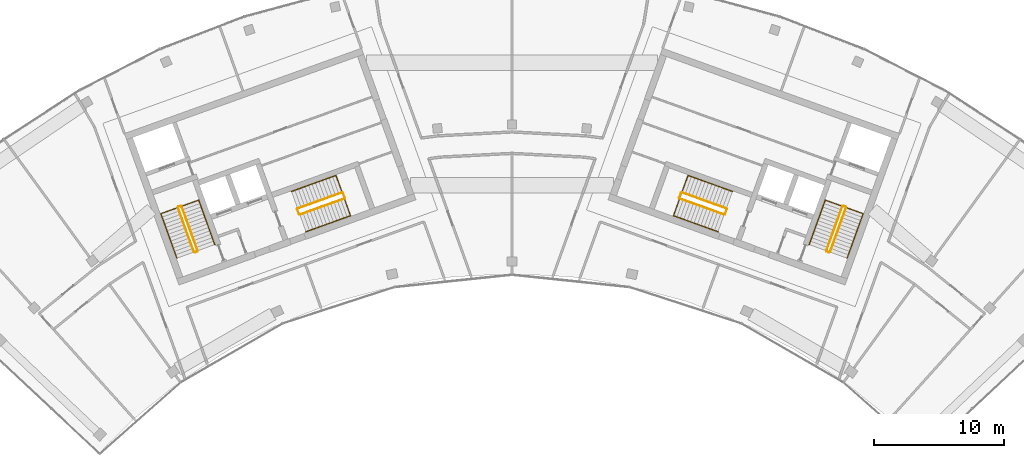
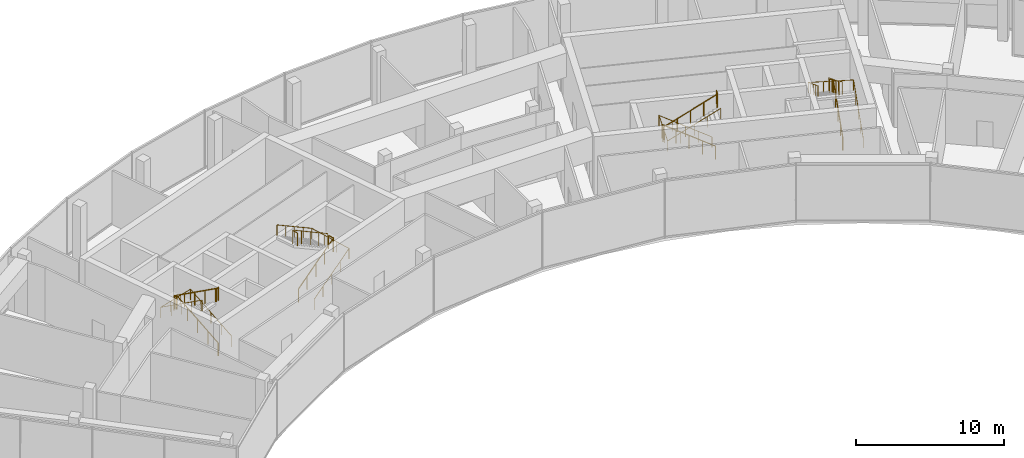
# One storey, part 17 of 17: 12 railings.
"""IFC4 building model written with IfcOpenShell, lengths in metres."""

import ifcopenshell
import ifcopenshell.guid

model = None  # the IFC model being written
_history = None  # IfcOwnerHistory: only IFC2X3 demands one
_inside = {}  # id of a spatial element -> (the spatial element, [elements in it])
_under = {}  # id of a project, library or spatial element -> (it, [spatial elements below it])
_declared = {}  # id of a project -> (the project, [libraries it declares])
_typed = {}  # id of a type object -> (the type object, [elements of that type])
_made_of = {}  # id of a material, layer set ... -> (it, [elements and type objects made of it])


def new_model(schema):
    """Start an empty IFC model of exactly this schema.

    Asked for "IFC4X3", IfcOpenShell would pick the latest addendum, in which some entities
    have other attributes; the version numbers below select the first issue.
    IFC2X3 requires an IfcOwnerHistory on every rooted entity: one is made here for all.
    """
    global model, _history
    if schema == "IFC4X3":
        model = ifcopenshell.file(schema_version=(4, 3, 0, 0))
    else:
        model = ifcopenshell.file(schema=schema)
    _inside.clear()
    _under.clear()
    _declared.clear()
    _typed.clear()
    _made_of.clear()
    _history = None
    if model.schema == "IFC2X3":
        org = make("IfcOrganization", Name="unknown")
        user = make(
            "IfcPersonAndOrganization",
            ThePerson=make("IfcPerson", FamilyName="unknown"),
            TheOrganization=org,
        )
        app = make(
            "IfcApplication",
            ApplicationDeveloper=org,
            Version="unknown",
            ApplicationFullName="unknown",
            ApplicationIdentifier="unknown",
        )
        _history = make(
            "IfcOwnerHistory",
            OwningUser=user,
            OwningApplication=app,
            ChangeAction="ADDED",
            CreationDate=0,
        )
    return model


def make(cls, **values):
    """One entity of the class cls with the attributes given. An attribute that is None is left unset."""
    return model.create_entity(
        cls, **{name: value for name, value in values.items() if value is not None}
    )


def rooted(cls, **values):
    """An entity with a GlobalId (a new one), such as an element, a storey or a relation."""
    return make(cls, GlobalId=ifcopenshell.guid.new(), OwnerHistory=_history, **values)


def si_unit(unit_type, name, prefix=None):
    """IfcSIUnit, for example si_unit("LENGTHUNIT", "METRE", prefix="MILLI")."""
    return make("IfcSIUnit", UnitType=unit_type, Prefix=prefix, Name=name)


def assignment(units):
    """IfcUnitAssignment: the units of a project."""
    return None if units is None else make("IfcUnitAssignment", Units=units)


def point(xyz):
    """IfcCartesianPoint."""
    return None if xyz is None else make("IfcCartesianPoint", Coordinates=xyz)


def direction(xyz):
    """IfcDirection."""
    return None if xyz is None else make("IfcDirection", DirectionRatios=xyz)


def frame(location, z_axis=None, x_axis=None):
    """IfcAxis2Placement3D, a coordinate frame: its origin and axes. An axis left out is left unset."""
    return make(
        "IfcAxis2Placement3D",
        Location=point(location),
        Axis=direction(z_axis),
        RefDirection=direction(x_axis),
    )


def frame_2d(location, x_axis=None):
    """IfcAxis2Placement2D, a coordinate frame in the plane: its origin and x axis."""
    return make(
        "IfcAxis2Placement2D", Location=point(location), RefDirection=direction(x_axis)
    )


def origin():
    """The frame at (0, 0, 0) with its axes left unset."""
    return frame((0.0, 0.0, 0.0))


def origin_2d():
    """The frame at (0, 0) in the plane with its x axis left unset."""
    return frame_2d((0.0, 0.0))


def place(relative_to, where):
    """IfcLocalPlacement: puts the frame where relative to a parent placement (None: the world)."""
    return make(
        "IfcLocalPlacement", PlacementRelTo=relative_to, RelativePlacement=where
    )


def context(
    kind, dimensions, precision=None, world=None, true_north=None, identifier=None
):
    """IfcGeometricRepresentationContext, for example the 3D "Model" context."""
    return make(
        "IfcGeometricRepresentationContext",
        ContextIdentifier=identifier,
        ContextType=kind,
        CoordinateSpaceDimension=dimensions,
        Precision=precision,
        WorldCoordinateSystem=world,
        TrueNorth=true_north,
    )


def subcontext(parent, identifier, kind, view, scale=None):
    """IfcGeometricRepresentationSubContext, for example "Body" below "Model"."""
    return make(
        "IfcGeometricRepresentationSubContext",
        ContextIdentifier=identifier,
        ContextType=kind,
        ParentContext=parent,
        TargetScale=scale,
        TargetView=view,
    )


def project(units=None, contexts=None):
    """IfcProject with its units and contexts."""
    return rooted(
        "IfcProject",
        Name="project",
        RepresentationContexts=contexts,
        UnitsInContext=assignment(units),
    )


def spatial(cls, under=None, at=None, **own):
    """A site, building, storey or space (cls), placed at a placement, below another one or the project."""
    s = rooted(cls, ObjectPlacement=at, **own)
    if under is not None:
        _under.setdefault(under.id(), (under, []))[1].append(s)
    return s


def profile(cls, at=None, kind="AREA", **sizes):
    """A parametric profile (cls). Its sizes go by their IFC names, for example OverallWidth=200.0."""
    return make(cls, ProfileType=kind, Position=at, **sizes)


def circle(**sizes):
    """IfcCircleProfileDef."""
    return profile("IfcCircleProfileDef", **sizes)


def extrude(swept, where, along, depth):
    """IfcExtrudedAreaSolid: the profile swept, set in the frame where, extruded along a direction by depth."""
    return make(
        "IfcExtrudedAreaSolid",
        SweptArea=swept,
        Position=where,
        ExtrudedDirection=direction(along),
        Depth=depth,
    )


def shape(context_of_items, identifier, shape_type, items):
    """IfcShapeRepresentation: the items that make up one representation, for example the "Body"."""
    return make(
        "IfcShapeRepresentation",
        ContextOfItems=context_of_items,
        RepresentationIdentifier=identifier,
        RepresentationType=shape_type,
        Items=items,
    )


def material(Name=None, Category=None):
    """IfcMaterial."""
    return make("IfcMaterial", Name=Name, Category=Category)


def made_of(thing, what):
    """Note that an element or type object is made of a material, layer set ...; save() writes the relation."""
    if what is not None:
        _made_of.setdefault(what.id(), (what, []))[1].append(thing)
    return thing


def type_object(cls, material=None, **own):
    """A type object (cls), such as IfcWallType, which elements share."""
    return made_of(rooted(cls, **own), material)


def element(
    cls,
    number,
    at=None,
    inside=None,
    cuts=None,
    type_object=None,
    material=None,
    context=None,
    identifier="Body",
    shape_type=None,
    held_by="IfcProductDefinitionShape",
    body=None,
    shapes=None,
    **own,
):
    """One element of the class cls, such as IfcWall. Its Tag is "e" and its number.

    at: its placement. inside: the storey or other place that contains it. cuts: it is an
    opening in that element (IfcRelVoidsElement). A single representation is given by context,
    identifier, shape_type and body (its items); several are given by shapes. held_by: the class
    of the entity that holds the representations. save() writes the other relations.
    """
    e = rooted(cls, Tag="e%d" % number, ObjectPlacement=at, **own)
    if body is not None:
        shapes = [shape(context, identifier, shape_type, body)]
    if shapes is not None:
        e.Representation = make(held_by, Representations=shapes)
    if inside is not None:
        _inside.setdefault(inside.id(), (inside, []))[1].append(e)
    if cuts is not None:
        rooted(
            "IfcRelVoidsElement", RelatingBuildingElement=cuts, RelatedOpeningElement=e
        )
    if type_object is not None:
        _typed.setdefault(type_object.id(), (type_object, []))[1].append(e)
    return made_of(e, material)


def aggregate(whole, parts):
    """IfcRelAggregates: a whole, such as a stair, and the parts it consists of."""
    return rooted("IfcRelAggregates", RelatingObject=whole, RelatedObjects=parts)


def save(model, path):
    """Write the relations noted so far, then the file.

    IfcRelAggregates (storeys below a building ...), IfcRelContainedInSpatialStructure (elements
    in a storey), IfcRelDefinesByType, IfcRelAssociatesMaterial and IfcRelDeclares: one each for
    every whole, place, type object, material and project.
    """
    for whole, parts in _under.values():
        aggregate(whole, parts)
    for where, things in _inside.values():
        rooted(
            "IfcRelContainedInSpatialStructure",
            RelatedElements=things,
            RelatingStructure=where,
        )
    for kind, things in _typed.values():
        rooted("IfcRelDefinesByType", RelatedObjects=things, RelatingType=kind)
    for what, things in _made_of.values():
        rooted("IfcRelAssociatesMaterial", RelatedObjects=things, RelatingMaterial=what)
    for by, libraries in _declared.values():
        rooted("IfcRelDeclares", RelatingContext=by, RelatedDefinitions=libraries)
    model.write(path)


model = new_model("IFC4")

# Units and contexts
model_context = context("Model", 3, precision=1e-05, world=origin(), true_north=direction((0.0, 1.0)))
body_context = subcontext(model_context, "Body", "Model", "MODEL_VIEW")
ifc_project = project(units=[si_unit("LENGTHUNIT", "METRE"), si_unit("AREAUNIT", "SQUARE_METRE"), si_unit("VOLUMEUNIT", "CUBIC_METRE"), si_unit("PLANEANGLEUNIT", "RADIAN"), si_unit("MASSUNIT", "GRAM", prefix="KILO")], contexts=[model_context])

# Site, building, storey
site_placement = place(None, origin())
site = spatial("IfcSite", under=ifc_project, at=site_placement, CompositionType="ELEMENT")
building_placement = place(site_placement, origin())
building = spatial("IfcBuilding", under=site, at=building_placement, Name="Stone Belt Terrace Tower", CompositionType="ELEMENT")
storey_placement = place(building_placement, frame((0.0, 0.0, 318.199951171875)))
storey = spatial("IfcBuildingStorey", under=building, at=storey_placement, Name="L77", CompositionType="ELEMENT", Elevation=318.199951171875)

# Railings
ifc_material = material(Name="Structural steel C345", Category="steel")
railing_type_1 = type_object("IfcRailingType", Name="Stair guard 1100", PredefinedType="GUARDRAIL", material=ifc_material)
railing_1_placement = place(storey_placement, frame((-24.2119140625, 45.276123046875, 0.17138671875)))
element("IfcRailing", 1, at=railing_1_placement, inside=storey, type_object=railing_type_1, Name="L77 ST1A stair guard 1", PredefinedType="GUARDRAIL", context=body_context, shape_type="SweptSolid", body=[
    extrude(circle(Radius=0.02392578125, at=origin_2d()), frame((0.0, 0.0, 1.076171875), z_axis=(-0.288813474145, 0.802431256746, 0.522198099718), x_axis=(-0.940910495972, -0.338655338905, 0.0)), (0.0, 0.0, 1.0), 4.26806640625),
    extrude(circle(Radius=0.02392578125, at=origin_2d()), frame((-1.232666015625, 3.4248046875, 3.3046875), z_axis=(-0.903878284585, 0.427789722475, 0.0), x_axis=(-0.427789722475, -0.903878284585, 0.0)), (0.0, 0.0, 1.0), 0.07080078125),
    extrude(circle(Radius=0.02392578125, at=origin_2d()), frame((-1.296630859375, 3.455078125, 3.3046875), z_axis=(-0.940716197853, -0.339194686126, 0.0), x_axis=(0.339194686126, -0.940716197853, 0.0)), (0.0, 0.0, 1.0), 0.2001953125),
    extrude(circle(Radius=0.02099609375, at=origin_2d()), origin(), (0.0, 0.0, 1.0), 1.052001953125),
    extrude(circle(Radius=0.02099609375, at=origin_2d()), frame((-0.30810546875, 0.856201171875, 0.55712890625)), (0.0, 0.0, 1.0), 1.052001953125),
    extrude(circle(Radius=0.02099609375, at=origin_2d()), frame((-0.6162109375, 1.71240234375, 1.1142578125)), (0.0, 0.0, 1.0), 1.052001953125),
    extrude(circle(Radius=0.02099609375, at=origin_2d()), frame((-0.924560546875, 2.568603515625, 1.671630859375)), (0.0, 0.0, 1.0), 1.052001953125),
    extrude(circle(Radius=0.02099609375, at=origin_2d()), frame((-1.232666015625, 3.4248046875, 2.228759765625)), (0.0, 0.0, 1.0), 1.052001953125),
    extrude(circle(Radius=0.02099609375, at=origin_2d()), frame((-1.296630859375, 3.455078125, 2.228759765625)), (0.0, 0.0, 1.0), 1.052001953125),
    extrude(circle(Radius=0.02099609375, at=origin_2d()), frame((-1.48486328125, 3.38720703125, 2.228759765625)), (0.0, 0.0, 1.0), 1.052001953125),
])
railing_2_placement = place(storey_placement, frame((-25.726806640625, 48.599365234375, 2.571533203125)))
element("IfcRailing", 2, at=railing_2_placement, inside=storey, type_object=railing_type_1, Name="L77 ST1A stair guard 2", PredefinedType="GUARDRAIL", context=body_context, shape_type="SweptSolid", body=[
    extrude(circle(Radius=0.02392578125, at=origin_2d()), frame((0.0, 0.0, 1.076171875), z_axis=(0.288822101159, -0.802455225799, 0.522156494233), x_axis=(0.940910495972, 0.338655338905, 0.0)), (0.0, 0.0, 1.0), 4.267822265625),
    extrude(circle(Radius=0.02392578125, at=origin_2d()), frame((1.232666015625, -3.4248046875, 3.3046875), z_axis=(0.903878284585, -0.427789722475, 0.0), x_axis=(0.427789722475, 0.903878284585, 0.0)), (0.0, 0.0, 1.0), 0.07080078125),
    extrude(circle(Radius=0.02392578125, at=origin_2d()), frame((1.296630859375, -3.455078125, 3.3046875), z_axis=(0.940575576748, 0.339584429008, 0.0), x_axis=(-0.339584429008, 0.940575576748, 0.0)), (0.0, 0.0, 1.0), 0.199951171875),
    extrude(circle(Radius=0.02099609375, at=origin_2d()), origin(), (0.0, 0.0, 1.0), 1.052001953125),
    extrude(circle(Radius=0.02099609375, at=origin_2d()), frame((0.30810546875, -0.856201171875, 0.55712890625)), (0.0, 0.0, 1.0), 1.052001953125),
    extrude(circle(Radius=0.02099609375, at=origin_2d()), frame((0.6162109375, -1.71240234375, 1.1142578125)), (0.0, 0.0, 1.0), 1.052001953125),
    extrude(circle(Radius=0.02099609375, at=origin_2d()), frame((0.924560546875, -2.568603515625, 1.67138671875)), (0.0, 0.0, 1.0), 1.052001953125),
    extrude(circle(Radius=0.02099609375, at=origin_2d()), frame((1.232666015625, -3.4248046875, 2.228515625)), (0.0, 0.0, 1.0), 1.052001953125),
    extrude(circle(Radius=0.02099609375, at=origin_2d()), frame((1.296630859375, -3.455078125, 2.228515625)), (0.0, 0.0, 1.0), 1.052001953125),
    extrude(circle(Radius=0.02099609375, at=origin_2d()), frame((1.484619140625, -3.38720703125, 2.228515625)), (0.0, 0.0, 1.0), 1.052001953125),
])
railing_3_placement = place(storey_placement, frame((-16.33837890625, 48.056640625, 0.17138671875)))
element("IfcRailing", 3, at=railing_3_placement, inside=storey, type_object=railing_type_1, Name="L77 ST2A stair guard 1", PredefinedType="GUARDRAIL", context=body_context, shape_type="SweptSolid", body=[
    extrude(circle(Radius=0.02392578125, at=origin_2d()), frame((0.0, 0.0, 1.076171875), z_axis=(0.802464880144, 0.288747787795, 0.522182756493), x_axis=(-0.338574587021, 0.94093955652, 0.0)), (0.0, 0.0, 1.0), 4.26806640625),
    extrude(circle(Radius=0.02392578125, at=origin_2d()), frame((3.425048828125, 1.232421875, 3.3046875), z_axis=(0.424964916, 0.905209821074, 0.0), x_axis=(-0.905209821074, 0.424964916, 0.0)), (0.0, 0.0, 1.0), 0.070556640625),
    extrude(circle(Radius=0.02392578125, at=origin_2d()), frame((3.455078125, 1.29638671875, 3.3046875), z_axis=(-0.338654645739, 0.940910745459, 0.0), x_axis=(-0.940910745459, -0.338654645739, 0.0)), (0.0, 0.0, 1.0), 0.400146484375),
    extrude(circle(Radius=0.02099609375, at=origin_2d()), origin(), (0.0, 0.0, 1.0), 1.052001953125),
    extrude(circle(Radius=0.02099609375, at=origin_2d()), frame((0.856201171875, 0.30810546875, 0.55712890625)), (0.0, 0.0, 1.0), 1.052001953125),
    extrude(circle(Radius=0.02099609375, at=origin_2d()), frame((1.71240234375, 0.6162109375, 1.1142578125)), (0.0, 0.0, 1.0), 1.052001953125),
    extrude(circle(Radius=0.02099609375, at=origin_2d()), frame((2.56884765625, 0.92431640625, 1.671630859375)), (0.0, 0.0, 1.0), 1.052001953125),
    extrude(circle(Radius=0.02099609375, at=origin_2d()), frame((3.425048828125, 1.232421875, 2.228759765625)), (0.0, 0.0, 1.0), 1.052001953125),
    extrude(circle(Radius=0.02099609375, at=origin_2d()), frame((3.455078125, 1.29638671875, 2.228759765625)), (0.0, 0.0, 1.0), 1.052001953125),
    extrude(circle(Radius=0.02099609375, at=origin_2d()), frame((3.319580078125, 1.6728515625, 2.228759765625)), (0.0, 0.0, 1.0), 1.052001953125),
])
railing_4_placement = place(storey_placement, frame((-13.082763671875, 49.759521484375, 2.571533203125)))
element("IfcRailing", 4, at=railing_4_placement, inside=storey, type_object=railing_type_1, Name="L77 ST2A stair guard 2", PredefinedType="GUARDRAIL", context=body_context, shape_type="SweptSolid", body=[
    extrude(circle(Radius=0.02392578125, at=origin_2d()), frame((0.0, 0.0, 1.076171875), z_axis=(-0.802468482762, -0.288769667877, 0.52216512052), x_axis=(0.338595955653, -0.940931867255, 0.0)), (0.0, 0.0, 1.0), 4.267822265625),
    extrude(circle(Radius=0.02392578125, at=origin_2d()), frame((-3.4248046875, -1.232421875, 3.3046875), z_axis=(-0.427789722475, -0.903878284585, 0.0), x_axis=(0.903878284585, -0.427789722475, 0.0)), (0.0, 0.0, 1.0), 0.07080078125),
    extrude(circle(Radius=0.02392578125, at=origin_2d()), frame((-3.455078125, -1.29638671875, 3.3046875), z_axis=(0.338654645739, -0.940910745459, 0.0), x_axis=(0.940910745459, 0.338654645739, 0.0)), (0.0, 0.0, 1.0), 0.400146484375),
    extrude(circle(Radius=0.02099609375, at=origin_2d()), origin(), (0.0, 0.0, 1.0), 1.052001953125),
    extrude(circle(Radius=0.02099609375, at=origin_2d()), frame((-0.856201171875, -0.30810546875, 0.55712890625)), (0.0, 0.0, 1.0), 1.052001953125),
    extrude(circle(Radius=0.02099609375, at=origin_2d()), frame((-1.71240234375, -0.6162109375, 1.1142578125)), (0.0, 0.0, 1.0), 1.052001953125),
    extrude(circle(Radius=0.02099609375, at=origin_2d()), frame((-2.568603515625, -0.92431640625, 1.67138671875)), (0.0, 0.0, 1.0), 1.052001953125),
    extrude(circle(Radius=0.02099609375, at=origin_2d()), frame((-3.4248046875, -1.232421875, 2.228515625)), (0.0, 0.0, 1.0), 1.052001953125),
    extrude(circle(Radius=0.02099609375, at=origin_2d()), frame((-3.455078125, -1.29638671875, 2.228515625)), (0.0, 0.0, 1.0), 1.052001953125),
    extrude(circle(Radius=0.02099609375, at=origin_2d()), frame((-3.319580078125, -1.6728515625, 2.228515625)), (0.0, 0.0, 1.0), 1.052001953125),
])
railing_5_placement = place(storey_placement, frame((24.494140625, 45.174560546875, 0.17138671875)))
element("IfcRailing", 5, at=railing_5_placement, inside=storey, type_object=railing_type_1, Name="L77 ST1B stair guard 1", PredefinedType="GUARDRAIL", context=body_context, shape_type="SweptSolid", body=[
    extrude(circle(Radius=0.02392578125, at=origin_2d()), frame((0.0, 0.0, 1.076171875), z_axis=(0.288813474145, 0.802431256746, 0.522198099718), x_axis=(-0.940910495972, 0.338655338905, 0.0)), (0.0, 0.0, 1.0), 4.26806640625),
    extrude(circle(Radius=0.02392578125, at=origin_2d()), frame((1.232666015625, 3.4248046875, 3.3046875), z_axis=(-0.424964916, 0.905209821074, 0.0), x_axis=(-0.905209821074, -0.424964916, 0.0)), (0.0, 0.0, 1.0), 0.070556640625),
    extrude(circle(Radius=0.02392578125, at=origin_2d()), frame((1.20263671875, 3.48876953125, 3.3046875), z_axis=(-0.940716197853, 0.339194686126, 0.0), x_axis=(-0.339194686126, -0.940716197853, 0.0)), (0.0, 0.0, 1.0), 0.2001953125),
    extrude(circle(Radius=0.02099609375, at=origin_2d()), origin(), (0.0, 0.0, 1.0), 1.052001953125),
    extrude(circle(Radius=0.02099609375, at=origin_2d()), frame((0.30810546875, 0.856201171875, 0.55712890625)), (0.0, 0.0, 1.0), 1.052001953125),
    extrude(circle(Radius=0.02099609375, at=origin_2d()), frame((0.6162109375, 1.71240234375, 1.1142578125)), (0.0, 0.0, 1.0), 1.052001953125),
    extrude(circle(Radius=0.02099609375, at=origin_2d()), frame((0.924560546875, 2.568603515625, 1.671630859375)), (0.0, 0.0, 1.0), 1.052001953125),
    extrude(circle(Radius=0.02099609375, at=origin_2d()), frame((1.232666015625, 3.4248046875, 2.228759765625)), (0.0, 0.0, 1.0), 1.052001953125),
    extrude(circle(Radius=0.02099609375, at=origin_2d()), frame((1.20263671875, 3.48876953125, 2.228759765625)), (0.0, 0.0, 1.0), 1.052001953125),
    extrude(circle(Radius=0.02099609375, at=origin_2d()), frame((1.014404296875, 3.556640625, 2.228759765625)), (0.0, 0.0, 1.0), 1.052001953125),
])
railing_6_placement = place(storey_placement, frame((25.444580078125, 48.700927734375, 2.571533203125)))
element("IfcRailing", 6, at=railing_6_placement, inside=storey, type_object=railing_type_1, Name="L77 ST1B stair guard 2", PredefinedType="GUARDRAIL", context=body_context, shape_type="SweptSolid", body=[
    extrude(circle(Radius=0.02392578125, at=origin_2d()), frame((0.0, 0.0, 1.076171875), z_axis=(-0.288822101159, -0.802455225799, 0.522156494233), x_axis=(0.940910495972, -0.338655338905, 0.0)), (0.0, 0.0, 1.0), 4.267822265625),
    extrude(circle(Radius=0.02392578125, at=origin_2d()), frame((-1.232666015625, -3.4248046875, 3.3046875), z_axis=(0.427789722475, -0.903878284585, 0.0), x_axis=(0.903878284585, 0.427789722475, 0.0)), (0.0, 0.0, 1.0), 0.07080078125),
    extrude(circle(Radius=0.02392578125, at=origin_2d()), frame((-1.202392578125, -3.48876953125, 3.3046875), z_axis=(0.940575576748, -0.339584429008, 0.0), x_axis=(0.339584429008, 0.940575576748, 0.0)), (0.0, 0.0, 1.0), 0.199951171875),
    extrude(circle(Radius=0.02099609375, at=origin_2d()), origin(), (0.0, 0.0, 1.0), 1.052001953125),
    extrude(circle(Radius=0.02099609375, at=origin_2d()), frame((-0.30810546875, -0.856201171875, 0.55712890625)), (0.0, 0.0, 1.0), 1.052001953125),
    extrude(circle(Radius=0.02099609375, at=origin_2d()), frame((-0.6162109375, -1.71240234375, 1.1142578125)), (0.0, 0.0, 1.0), 1.052001953125),
    extrude(circle(Radius=0.02099609375, at=origin_2d()), frame((-0.924560546875, -2.568603515625, 1.67138671875)), (0.0, 0.0, 1.0), 1.052001953125),
    extrude(circle(Radius=0.02099609375, at=origin_2d()), frame((-1.232666015625, -3.4248046875, 2.228515625)), (0.0, 0.0, 1.0), 1.052001953125),
    extrude(circle(Radius=0.02099609375, at=origin_2d()), frame((-1.202392578125, -3.48876953125, 2.228515625)), (0.0, 0.0, 1.0), 1.052001953125),
    extrude(circle(Radius=0.02099609375, at=origin_2d()), frame((-1.014404296875, -3.556640625, 2.228515625)), (0.0, 0.0, 1.0), 1.052001953125),
])
railing_7_placement = place(storey_placement, frame((16.507568359375, 48.527099609375, 0.17138671875)))
element("IfcRailing", 7, at=railing_7_placement, inside=storey, type_object=railing_type_1, Name="L77 ST2B stair guard 1", PredefinedType="GUARDRAIL", context=body_context, shape_type="SweptSolid", body=[
    extrude(circle(Radius=0.02392578125, at=origin_2d()), frame((0.0, 0.0, 1.076171875), z_axis=(-0.802444512521, 0.288761042145, 0.522206726177), x_axis=(-0.338595955653, -0.940931867255, 0.0)), (0.0, 0.0, 1.0), 4.26806640625),
    extrude(circle(Radius=0.02392578125, at=origin_2d()), frame((-3.4248046875, 1.232421875, 3.3046875), z_axis=(-0.905209821074, -0.424964916, 0.0), x_axis=(0.424964916, -0.905209821074, 0.0)), (0.0, 0.0, 1.0), 0.070556640625),
    extrude(circle(Radius=0.02392578125, at=origin_2d()), frame((-3.48876953125, 1.202392578125, 3.3046875), z_axis=(-0.338654645739, -0.940910745459, 0.0), x_axis=(0.940910745459, -0.338654645739, 0.0)), (0.0, 0.0, 1.0), 0.400146484375),
    extrude(circle(Radius=0.02099609375, at=origin_2d()), origin(), (0.0, 0.0, 1.0), 1.052001953125),
    extrude(circle(Radius=0.02099609375, at=origin_2d()), frame((-0.856201171875, 0.30810546875, 0.55712890625)), (0.0, 0.0, 1.0), 1.052001953125),
    extrude(circle(Radius=0.02099609375, at=origin_2d()), frame((-1.71240234375, 0.6162109375, 1.1142578125)), (0.0, 0.0, 1.0), 1.052001953125),
    extrude(circle(Radius=0.02099609375, at=origin_2d()), frame((-2.568603515625, 0.92431640625, 1.671630859375)), (0.0, 0.0, 1.0), 1.052001953125),
    extrude(circle(Radius=0.02099609375, at=origin_2d()), frame((-3.4248046875, 1.232421875, 2.228759765625)), (0.0, 0.0, 1.0), 1.052001953125),
    extrude(circle(Radius=0.02099609375, at=origin_2d()), frame((-3.48876953125, 1.202392578125, 2.228759765625)), (0.0, 0.0, 1.0), 1.052001953125),
    extrude(circle(Radius=0.02099609375, at=origin_2d()), frame((-3.624267578125, 0.825927734375, 2.228759765625)), (0.0, 0.0, 1.0), 1.052001953125),
])
railing_8_placement = place(storey_placement, frame((12.913330078125, 49.2890625, 2.571533203125)))
element("IfcRailing", 8, at=railing_8_placement, inside=storey, type_object=railing_type_1, Name="L77 ST2B stair guard 2", PredefinedType="GUARDRAIL", context=body_context, shape_type="SweptSolid", body=[
    extrude(circle(Radius=0.02392578125, at=origin_2d()), frame((0.0, 0.0, 1.076171875), z_axis=(0.802488848793, -0.288756412339, 0.522141151314), x_axis=(0.338574587021, 0.94093955652, 0.0)), (0.0, 0.0, 1.0), 4.26806640625),
    extrude(circle(Radius=0.02392578125, at=origin_2d()), frame((3.425048828125, -1.232421875, 3.3046875), z_axis=(0.905209821074, 0.424964916, 0.0), x_axis=(-0.424964916, 0.905209821074, 0.0)), (0.0, 0.0, 1.0), 0.070556640625),
    extrude(circle(Radius=0.02392578125, at=origin_2d()), frame((3.489013671875, -1.202392578125, 3.3046875), z_axis=(0.338654645739, 0.940910745459, 0.0), x_axis=(-0.940910745459, 0.338654645739, 0.0)), (0.0, 0.0, 1.0), 0.400146484375),
    extrude(circle(Radius=0.02099609375, at=origin_2d()), origin(), (0.0, 0.0, 1.0), 1.052001953125),
    extrude(circle(Radius=0.02099609375, at=origin_2d()), frame((0.856201171875, -0.30810546875, 0.55712890625)), (0.0, 0.0, 1.0), 1.052001953125),
    extrude(circle(Radius=0.02099609375, at=origin_2d()), frame((1.71240234375, -0.6162109375, 1.1142578125)), (0.0, 0.0, 1.0), 1.052001953125),
    extrude(circle(Radius=0.02099609375, at=origin_2d()), frame((2.56884765625, -0.92431640625, 1.67138671875)), (0.0, 0.0, 1.0), 1.052001953125),
    extrude(circle(Radius=0.02099609375, at=origin_2d()), frame((3.425048828125, -1.232421875, 2.228515625)), (0.0, 0.0, 1.0), 1.052001953125),
    extrude(circle(Radius=0.02099609375, at=origin_2d()), frame((3.489013671875, -1.202392578125, 2.228515625)), (0.0, 0.0, 1.0), 1.052001953125),
    extrude(circle(Radius=0.02099609375, at=origin_2d()), frame((3.62451171875, -0.825927734375, 2.228515625)), (0.0, 0.0, 1.0), 1.052001953125),
])
railing_type_2 = type_object("IfcRailingType", Name="Stair handrail 900", PredefinedType="HANDRAIL", material=ifc_material)
railing_9_placement = place(storey_placement, frame((-22.894775390625, 45.750244140625, 0.17138671875)))
element("IfcRailing", 9, at=railing_9_placement, inside=storey, type_object=railing_type_2, Name="L77 ST1A stair handrail 1", PredefinedType="HANDRAIL", context=body_context, shape_type="SweptSolid", body=[
    extrude(circle(Radius=0.02392578125, at=origin_2d()), frame((0.0, 0.0, 0.8759765625), z_axis=(-0.288761042145, 0.802444512521, 0.522206726177), x_axis=(-0.940931867255, -0.338595955653, 0.0)), (0.0, 0.0, 1.0), 4.26806640625),
    extrude(circle(Radius=0.02392578125, at=origin_2d()), frame((-1.232421875, 3.4248046875, 3.1044921875), z_axis=(-0.939484977919, -0.338113944179, 0.055199067166), x_axis=(0.338630230244, -0.940919532779, 0.0)), (0.0, 0.0, 1.0), 3.10498046875),
    extrude(circle(Radius=0.02392578125, at=origin_2d()), frame((-4.1494140625, 2.375, 3.27587890625), z_axis=(0.288822101159, -0.802455225799, 0.522156494233), x_axis=(0.940910495972, 0.338655338905, 0.0)), (0.0, 0.0, 1.0), 4.267822265625),
    extrude(circle(Radius=0.02099609375, at=origin_2d()), origin(), (0.0, 0.0, 1.0), 0.851806640625),
    extrude(circle(Radius=0.02099609375, at=origin_2d()), frame((-0.30810546875, 0.856201171875, 0.55712890625)), (0.0, 0.0, 1.0), 0.851806640625),
    extrude(circle(Radius=0.02099609375, at=origin_2d()), frame((-0.6162109375, 1.71240234375, 1.1142578125)), (0.0, 0.0, 1.0), 0.851806640625),
    extrude(circle(Radius=0.02099609375, at=origin_2d()), frame((-0.92431640625, 2.568603515625, 1.671630859375)), (0.0, 0.0, 1.0), 0.851806640625),
    extrude(circle(Radius=0.02099609375, at=origin_2d()), frame((-1.232421875, 3.4248046875, 2.228759765625)), (0.0, 0.0, 1.0), 0.851806640625),
    extrude(circle(Radius=0.02099609375, at=origin_2d()), frame((-2.204833984375, 3.074951171875, 2.285888671875)), (0.0, 0.0, 1.0), 0.851806640625),
    extrude(circle(Radius=0.02099609375, at=origin_2d()), frame((-3.177001953125, 2.724853515625, 2.343017578125)), (0.0, 0.0, 1.0), 0.851806640625),
    extrude(circle(Radius=0.02099609375, at=origin_2d()), frame((-4.1494140625, 2.375, 2.400146484375)), (0.0, 0.0, 1.0), 0.851806640625),
    extrude(circle(Radius=0.02099609375, at=origin_2d()), frame((-3.84130859375, 1.518798828125, 2.957275390625)), (0.0, 0.0, 1.0), 0.851806640625),
    extrude(circle(Radius=0.02099609375, at=origin_2d()), frame((-3.533203125, 0.66259765625, 3.514404296875)), (0.0, 0.0, 1.0), 0.851806640625),
    extrude(circle(Radius=0.02099609375, at=origin_2d()), frame((-3.224853515625, -0.193603515625, 4.071533203125)), (0.0, 0.0, 1.0), 0.851806640625),
    extrude(circle(Radius=0.02099609375, at=origin_2d()), frame((-2.916748046875, -1.0498046875, 4.628662109375)), (0.0, 0.0, 1.0), 0.851806640625),
])
railing_10_placement = place(storey_placement, frame((-15.8642578125, 46.7392578125, 0.17138671875)))
element("IfcRailing", 10, at=railing_10_placement, inside=storey, type_object=railing_type_2, Name="L77 ST2A stair handrail 1", PredefinedType="HANDRAIL", context=body_context, shape_type="SweptSolid", body=[
    extrude(circle(Radius=0.02392578125, at=origin_2d()), frame((0.0, 0.0, 0.8759765625), z_axis=(0.80245162525, 0.288800217826, 0.522174131222), x_axis=(-0.338633967496, 0.94091818776, 0.0)), (0.0, 0.0, 1.0), 4.268310546875),
    extrude(circle(Radius=0.02392578125, at=origin_2d()), frame((3.425048828125, 1.232666015625, 3.1044921875), z_axis=(-0.338232188705, 0.939632366961, 0.051865224218), x_axis=(-0.940898728651, -0.338688031118, 0.0)), (0.0, 0.0, 1.0), 3.304443359375),
    extrude(circle(Radius=0.02392578125, at=origin_2d()), frame((2.307373046875, 4.337646484375, 3.27587890625), z_axis=(-0.802455225799, -0.288822101159, 0.522156494233), x_axis=(0.338655338905, -0.940910495972, 0.0)), (0.0, 0.0, 1.0), 4.267822265625),
    extrude(circle(Radius=0.02099609375, at=origin_2d()), origin(), (0.0, 0.0, 1.0), 0.851806640625),
    extrude(circle(Radius=0.02099609375, at=origin_2d()), frame((0.856201171875, 0.30810546875, 0.55712890625)), (0.0, 0.0, 1.0), 0.851806640625),
    extrude(circle(Radius=0.02099609375, at=origin_2d()), frame((1.71240234375, 0.6162109375, 1.1142578125)), (0.0, 0.0, 1.0), 0.851806640625),
    extrude(circle(Radius=0.02099609375, at=origin_2d()), frame((2.56884765625, 0.924560546875, 1.671630859375)), (0.0, 0.0, 1.0), 0.851806640625),
    extrude(circle(Radius=0.02099609375, at=origin_2d()), frame((3.425048828125, 1.232666015625, 2.228759765625)), (0.0, 0.0, 1.0), 0.851806640625),
    extrude(circle(Radius=0.02099609375, at=origin_2d()), frame((3.052490234375, 2.267578125, 2.285888671875)), (0.0, 0.0, 1.0), 0.851806640625),
    extrude(circle(Radius=0.02099609375, at=origin_2d()), frame((2.679931640625, 3.302734375, 2.343017578125)), (0.0, 0.0, 1.0), 0.851806640625),
    extrude(circle(Radius=0.02099609375, at=origin_2d()), frame((2.307373046875, 4.337646484375, 2.400146484375)), (0.0, 0.0, 1.0), 0.851806640625),
    extrude(circle(Radius=0.02099609375, at=origin_2d()), frame((1.451171875, 4.029541015625, 2.957275390625)), (0.0, 0.0, 1.0), 0.851806640625),
    extrude(circle(Radius=0.02099609375, at=origin_2d()), frame((0.594970703125, 3.72119140625, 3.514404296875)), (0.0, 0.0, 1.0), 0.851806640625),
    extrude(circle(Radius=0.02099609375, at=origin_2d()), frame((-0.26123046875, 3.4130859375, 4.071533203125)), (0.0, 0.0, 1.0), 0.851806640625),
    extrude(circle(Radius=0.02099609375, at=origin_2d()), frame((-1.117431640625, 3.10498046875, 4.628662109375)), (0.0, 0.0, 1.0), 0.851806640625),
])
railing_11_placement = place(storey_placement, frame((25.8115234375, 44.700439453125, 0.17138671875)))
element("IfcRailing", 11, at=railing_11_placement, inside=storey, type_object=railing_type_2, Name="L77 ST1B stair handrail 1", PredefinedType="HANDRAIL", context=body_context, shape_type="SweptSolid", body=[
    extrude(circle(Radius=0.02392578125, at=origin_2d()), frame((0.0, 0.0, 0.8759765625), z_axis=(0.288813474145, 0.802431256746, 0.522198099718), x_axis=(-0.940910495972, 0.338655338905, 0.0)), (0.0, 0.0, 1.0), 4.26806640625),
    extrude(circle(Radius=0.02392578125, at=origin_2d()), frame((1.232666015625, 3.4248046875, 3.1044921875), z_axis=(-0.939484977919, 0.338113944179, 0.055199067166), x_axis=(-0.338630230244, -0.940919532779, 0.0)), (0.0, 0.0, 1.0), 3.10498046875),
    extrude(circle(Radius=0.02392578125, at=origin_2d()), frame((-1.684326171875, 4.474609375, 3.27587890625), z_axis=(-0.288769667877, -0.802468482762, 0.52216512052), x_axis=(0.940931867255, -0.338595955653, 0.0)), (0.0, 0.0, 1.0), 4.267822265625),
    extrude(circle(Radius=0.02099609375, at=origin_2d()), origin(), (0.0, 0.0, 1.0), 0.851806640625),
    extrude(circle(Radius=0.02099609375, at=origin_2d()), frame((0.30810546875, 0.856201171875, 0.55712890625)), (0.0, 0.0, 1.0), 0.851806640625),
    extrude(circle(Radius=0.02099609375, at=origin_2d()), frame((0.6162109375, 1.71240234375, 1.1142578125)), (0.0, 0.0, 1.0), 0.851806640625),
    extrude(circle(Radius=0.02099609375, at=origin_2d()), frame((0.924560546875, 2.568603515625, 1.671630859375)), (0.0, 0.0, 1.0), 0.851806640625),
    extrude(circle(Radius=0.02099609375, at=origin_2d()), frame((1.232666015625, 3.4248046875, 2.228759765625)), (0.0, 0.0, 1.0), 0.851806640625),
    extrude(circle(Radius=0.02099609375, at=origin_2d()), frame((0.26025390625, 3.774658203125, 2.285888671875)), (0.0, 0.0, 1.0), 0.851806640625),
    extrude(circle(Radius=0.02099609375, at=origin_2d()), frame((-0.7119140625, 4.124755859375, 2.343017578125)), (0.0, 0.0, 1.0), 0.851806640625),
    extrude(circle(Radius=0.02099609375, at=origin_2d()), frame((-1.684326171875, 4.474609375, 2.400146484375)), (0.0, 0.0, 1.0), 0.851806640625),
    extrude(circle(Radius=0.02099609375, at=origin_2d()), frame((-1.992431640625, 3.618408203125, 2.957275390625)), (0.0, 0.0, 1.0), 0.851806640625),
    extrude(circle(Radius=0.02099609375, at=origin_2d()), frame((-2.300537109375, 2.76220703125, 3.514404296875)), (0.0, 0.0, 1.0), 0.851806640625),
    extrude(circle(Radius=0.02099609375, at=origin_2d()), frame((-2.608642578125, 1.906005859375, 4.071533203125)), (0.0, 0.0, 1.0), 0.851806640625),
    extrude(circle(Radius=0.02099609375, at=origin_2d()), frame((-2.916748046875, 1.0498046875, 4.628662109375)), (0.0, 0.0, 1.0), 0.851806640625),
])
railing_12_placement = place(storey_placement, frame((16.981689453125, 49.84423828125, 0.17138671875)))
element("IfcRailing", 12, at=railing_12_placement, inside=storey, type_object=railing_type_2, Name="L77 ST2B stair handrail 1", PredefinedType="HANDRAIL", context=body_context, shape_type="SweptSolid", body=[
    extrude(circle(Radius=0.02392578125, at=origin_2d()), frame((0.0, 0.0, 0.8759765625), z_axis=(-0.802431256746, 0.288813474145, 0.522198099718), x_axis=(-0.338655338905, -0.940910495972, 0.0)), (0.0, 0.0, 1.0), 4.26806640625),
    extrude(circle(Radius=0.02392578125, at=origin_2d()), frame((-3.4248046875, 1.232666015625, 3.1044921875), z_axis=(-0.338232188705, -0.939632366961, 0.051865224218), x_axis=(0.940898728651, -0.338688031118, 0.0)), (0.0, 0.0, 1.0), 3.304443359375),
    extrude(circle(Radius=0.02392578125, at=origin_2d()), frame((-4.54248046875, -1.872314453125, 3.27587890625), z_axis=(0.802475592711, -0.288808843652, 0.522132526215), x_axis=(0.338633967496, 0.94091818776, 0.0)), (0.0, 0.0, 1.0), 4.26806640625),
    extrude(circle(Radius=0.02099609375, at=origin_2d()), origin(), (0.0, 0.0, 1.0), 0.851806640625),
    extrude(circle(Radius=0.02099609375, at=origin_2d()), frame((-0.856201171875, 0.30810546875, 0.55712890625)), (0.0, 0.0, 1.0), 0.851806640625),
    extrude(circle(Radius=0.02099609375, at=origin_2d()), frame((-1.71240234375, 0.6162109375, 1.1142578125)), (0.0, 0.0, 1.0), 0.851806640625),
    extrude(circle(Radius=0.02099609375, at=origin_2d()), frame((-2.568603515625, 0.924560546875, 1.671630859375)), (0.0, 0.0, 1.0), 0.851806640625),
    extrude(circle(Radius=0.02099609375, at=origin_2d()), frame((-3.4248046875, 1.232666015625, 2.228759765625)), (0.0, 0.0, 1.0), 0.851806640625),
    extrude(circle(Radius=0.02099609375, at=origin_2d()), frame((-3.79736328125, 0.19775390625, 2.285888671875)), (0.0, 0.0, 1.0), 0.851806640625),
    extrude(circle(Radius=0.02099609375, at=origin_2d()), frame((-4.169921875, -0.83740234375, 2.343017578125)), (0.0, 0.0, 1.0), 0.851806640625),
    extrude(circle(Radius=0.02099609375, at=origin_2d()), frame((-4.54248046875, -1.872314453125, 2.400146484375)), (0.0, 0.0, 1.0), 0.851806640625),
    extrude(circle(Radius=0.02099609375, at=origin_2d()), frame((-3.686279296875, -2.180419921875, 2.957275390625)), (0.0, 0.0, 1.0), 0.851806640625),
    extrude(circle(Radius=0.02099609375, at=origin_2d()), frame((-2.830078125, -2.48876953125, 3.514404296875)), (0.0, 0.0, 1.0), 0.851806640625),
    extrude(circle(Radius=0.02099609375, at=origin_2d()), frame((-1.9736328125, -2.796875, 4.071533203125)), (0.0, 0.0, 1.0), 0.851806640625),
    extrude(circle(Radius=0.02099609375, at=origin_2d()), frame((-1.117431640625, -3.10498046875, 4.628662109375)), (0.0, 0.0, 1.0), 0.851806640625),
])

save(model, "model.ifc")
